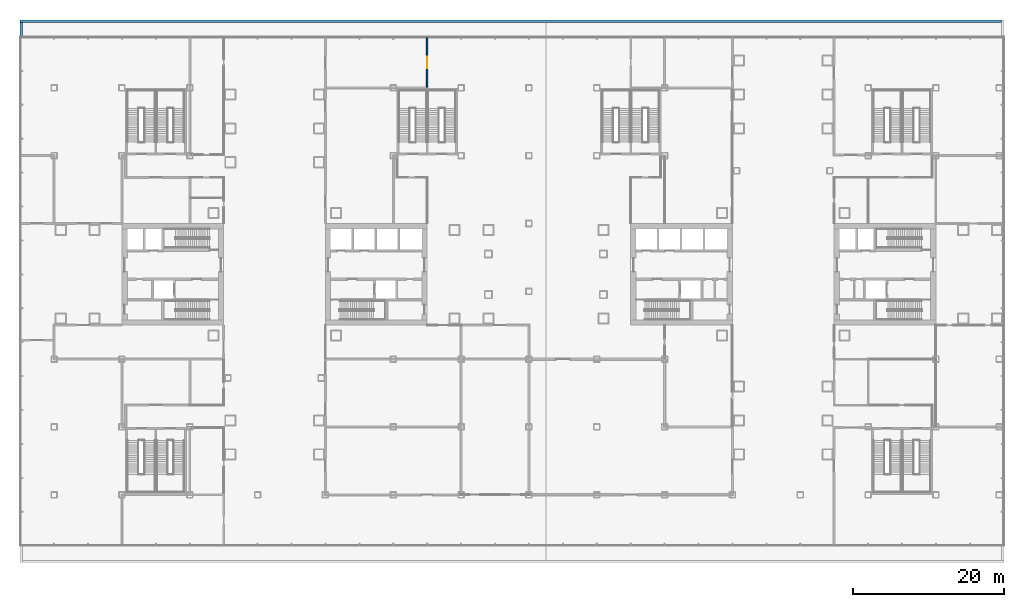
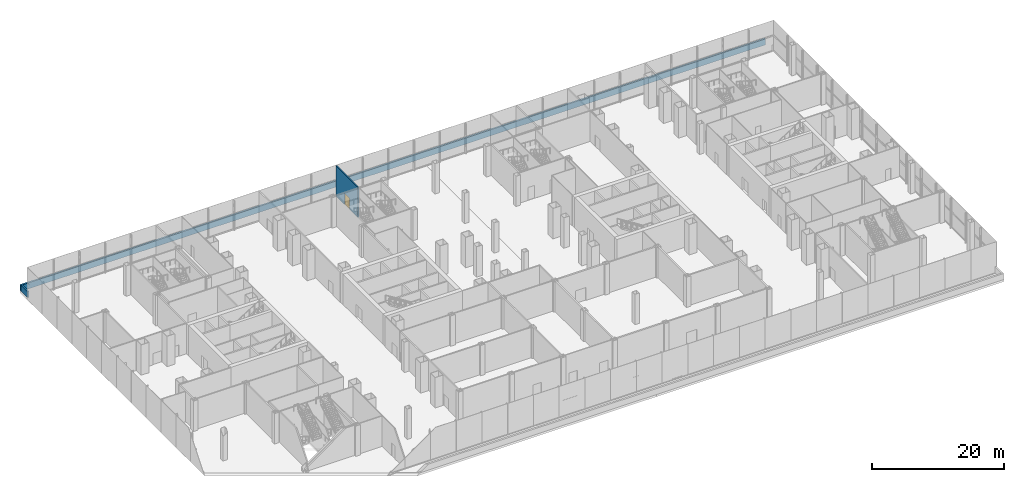
# One storey, part 30 of 38: 3 walls, 1 door, 1 opening.
"""IFC4 building model written with IfcOpenShell, lengths in metres."""

import ifcopenshell
import ifcopenshell.guid

model = None  # the IFC model being written
_history = None  # IfcOwnerHistory: only IFC2X3 demands one
_inside = {}  # id of a spatial element -> (the spatial element, [elements in it])
_under = {}  # id of a project, library or spatial element -> (it, [spatial elements below it])
_declared = {}  # id of a project -> (the project, [libraries it declares])
_typed = {}  # id of a type object -> (the type object, [elements of that type])
_made_of = {}  # id of a material, layer set ... -> (it, [elements and type objects made of it])


def new_model(schema):
    """Start an empty IFC model of exactly this schema.

    Asked for "IFC4X3", IfcOpenShell would pick the latest addendum, in which some entities
    have other attributes; the version numbers below select the first issue.
    IFC2X3 requires an IfcOwnerHistory on every rooted entity: one is made here for all.
    """
    global model, _history
    if schema == "IFC4X3":
        model = ifcopenshell.file(schema_version=(4, 3, 0, 0))
    else:
        model = ifcopenshell.file(schema=schema)
    _inside.clear()
    _under.clear()
    _declared.clear()
    _typed.clear()
    _made_of.clear()
    _history = None
    if model.schema == "IFC2X3":
        org = make("IfcOrganization", Name="unknown")
        user = make(
            "IfcPersonAndOrganization",
            ThePerson=make("IfcPerson", FamilyName="unknown"),
            TheOrganization=org,
        )
        app = make(
            "IfcApplication",
            ApplicationDeveloper=org,
            Version="unknown",
            ApplicationFullName="unknown",
            ApplicationIdentifier="unknown",
        )
        _history = make(
            "IfcOwnerHistory",
            OwningUser=user,
            OwningApplication=app,
            ChangeAction="ADDED",
            CreationDate=0,
        )
    return model


def make(cls, **values):
    """One entity of the class cls with the attributes given. An attribute that is None is left unset."""
    return model.create_entity(
        cls, **{name: value for name, value in values.items() if value is not None}
    )


def rooted(cls, **values):
    """An entity with a GlobalId (a new one), such as an element, a storey or a relation."""
    return make(cls, GlobalId=ifcopenshell.guid.new(), OwnerHistory=_history, **values)


def si_unit(unit_type, name, prefix=None):
    """IfcSIUnit, for example si_unit("LENGTHUNIT", "METRE", prefix="MILLI")."""
    return make("IfcSIUnit", UnitType=unit_type, Prefix=prefix, Name=name)


def assignment(units):
    """IfcUnitAssignment: the units of a project."""
    return None if units is None else make("IfcUnitAssignment", Units=units)


def point(xyz):
    """IfcCartesianPoint."""
    return None if xyz is None else make("IfcCartesianPoint", Coordinates=xyz)


def direction(xyz):
    """IfcDirection."""
    return None if xyz is None else make("IfcDirection", DirectionRatios=xyz)


def frame(location, z_axis=None, x_axis=None):
    """IfcAxis2Placement3D, a coordinate frame: its origin and axes. An axis left out is left unset."""
    return make(
        "IfcAxis2Placement3D",
        Location=point(location),
        Axis=direction(z_axis),
        RefDirection=direction(x_axis),
    )


def frame_2d(location, x_axis=None):
    """IfcAxis2Placement2D, a coordinate frame in the plane: its origin and x axis."""
    return make(
        "IfcAxis2Placement2D", Location=point(location), RefDirection=direction(x_axis)
    )


def origin():
    """The frame at (0, 0, 0) with its axes left unset."""
    return frame((0.0, 0.0, 0.0))


def place(relative_to, where):
    """IfcLocalPlacement: puts the frame where relative to a parent placement (None: the world)."""
    return make(
        "IfcLocalPlacement", PlacementRelTo=relative_to, RelativePlacement=where
    )


def context(
    kind, dimensions, precision=None, world=None, true_north=None, identifier=None
):
    """IfcGeometricRepresentationContext, for example the 3D "Model" context."""
    return make(
        "IfcGeometricRepresentationContext",
        ContextIdentifier=identifier,
        ContextType=kind,
        CoordinateSpaceDimension=dimensions,
        Precision=precision,
        WorldCoordinateSystem=world,
        TrueNorth=true_north,
    )


def subcontext(parent, identifier, kind, view, scale=None):
    """IfcGeometricRepresentationSubContext, for example "Body" below "Model"."""
    return make(
        "IfcGeometricRepresentationSubContext",
        ContextIdentifier=identifier,
        ContextType=kind,
        ParentContext=parent,
        TargetScale=scale,
        TargetView=view,
    )


def project(units=None, contexts=None):
    """IfcProject with its units and contexts."""
    return rooted(
        "IfcProject",
        Name="project",
        RepresentationContexts=contexts,
        UnitsInContext=assignment(units),
    )


def spatial(cls, under=None, at=None, **own):
    """A site, building, storey or space (cls), placed at a placement, below another one or the project."""
    s = rooted(cls, ObjectPlacement=at, **own)
    if under is not None:
        _under.setdefault(under.id(), (under, []))[1].append(s)
    return s


def profile(cls, at=None, kind="AREA", **sizes):
    """A parametric profile (cls). Its sizes go by their IFC names, for example OverallWidth=200.0."""
    return make(cls, ProfileType=kind, Position=at, **sizes)


def rectangle(**sizes):
    """IfcRectangleProfileDef."""
    return profile("IfcRectangleProfileDef", **sizes)


def extrude(swept, where, along, depth):
    """IfcExtrudedAreaSolid: the profile swept, set in the frame where, extruded along a direction by depth."""
    return make(
        "IfcExtrudedAreaSolid",
        SweptArea=swept,
        Position=where,
        ExtrudedDirection=direction(along),
        Depth=depth,
    )


def shape(context_of_items, identifier, shape_type, items):
    """IfcShapeRepresentation: the items that make up one representation, for example the "Body"."""
    return make(
        "IfcShapeRepresentation",
        ContextOfItems=context_of_items,
        RepresentationIdentifier=identifier,
        RepresentationType=shape_type,
        Items=items,
    )


def material(Name=None, Category=None):
    """IfcMaterial."""
    return make("IfcMaterial", Name=Name, Category=Category)


def layer(
    of_material, thickness, ventilated=None, Name=None, Category=None, Priority=None
):
    """IfcMaterialLayer: one layer of a wall or slab, of a material (None: an air gap)."""
    return make(
        "IfcMaterialLayer",
        Material=of_material,
        LayerThickness=thickness,
        IsVentilated=ventilated,
        Name=Name,
        Category=Category,
        Priority=Priority,
    )


def layer_set(layers, Name=None):
    """IfcMaterialLayerSet."""
    return make("IfcMaterialLayerSet", MaterialLayers=layers, LayerSetName=Name)


def made_of(thing, what):
    """Note that an element or type object is made of a material, layer set ...; save() writes the relation."""
    if what is not None:
        _made_of.setdefault(what.id(), (what, []))[1].append(thing)
    return thing


def type_object(cls, material=None, **own):
    """A type object (cls), such as IfcWallType, which elements share."""
    return made_of(rooted(cls, **own), material)


def element(
    cls,
    number,
    at=None,
    inside=None,
    cuts=None,
    type_object=None,
    material=None,
    context=None,
    identifier="Body",
    shape_type=None,
    held_by="IfcProductDefinitionShape",
    body=None,
    shapes=None,
    **own,
):
    """One element of the class cls, such as IfcWall. Its Tag is "e" and its number.

    at: its placement. inside: the storey or other place that contains it. cuts: it is an
    opening in that element (IfcRelVoidsElement). A single representation is given by context,
    identifier, shape_type and body (its items); several are given by shapes. held_by: the class
    of the entity that holds the representations. save() writes the other relations.
    """
    e = rooted(cls, Tag="e%d" % number, ObjectPlacement=at, **own)
    if body is not None:
        shapes = [shape(context, identifier, shape_type, body)]
    if shapes is not None:
        e.Representation = make(held_by, Representations=shapes)
    if inside is not None:
        _inside.setdefault(inside.id(), (inside, []))[1].append(e)
    if cuts is not None:
        rooted(
            "IfcRelVoidsElement", RelatingBuildingElement=cuts, RelatedOpeningElement=e
        )
    if type_object is not None:
        _typed.setdefault(type_object.id(), (type_object, []))[1].append(e)
    return made_of(e, material)


def fill(opening, filler):
    """IfcRelFillsElement: the door or window that sits in an opening."""
    return rooted(
        "IfcRelFillsElement",
        RelatingOpeningElement=opening,
        RelatedBuildingElement=filler,
    )


def aggregate(whole, parts):
    """IfcRelAggregates: a whole, such as a stair, and the parts it consists of."""
    return rooted("IfcRelAggregates", RelatingObject=whole, RelatedObjects=parts)


def save(model, path):
    """Write the relations noted so far, then the file.

    IfcRelAggregates (storeys below a building ...), IfcRelContainedInSpatialStructure (elements
    in a storey), IfcRelDefinesByType, IfcRelAssociatesMaterial and IfcRelDeclares: one each for
    every whole, place, type object, material and project.
    """
    for whole, parts in _under.values():
        aggregate(whole, parts)
    for where, things in _inside.values():
        rooted(
            "IfcRelContainedInSpatialStructure",
            RelatedElements=things,
            RelatingStructure=where,
        )
    for kind, things in _typed.values():
        rooted("IfcRelDefinesByType", RelatedObjects=things, RelatingType=kind)
    for what, things in _made_of.values():
        rooted("IfcRelAssociatesMaterial", RelatedObjects=things, RelatingMaterial=what)
    for by, libraries in _declared.values():
        rooted("IfcRelDeclares", RelatingContext=by, RelatedDefinitions=libraries)
    model.write(path)


model = new_model("IFC4")

# Units and contexts
model_context = context("Model", 3, precision=1e-05, world=origin(), true_north=direction((0.0, 1.0)))
body_context = subcontext(model_context, "Body", "Model", "MODEL_VIEW")
ifc_project = project(units=[si_unit("LENGTHUNIT", "METRE"), si_unit("AREAUNIT", "SQUARE_METRE"), si_unit("VOLUMEUNIT", "CUBIC_METRE"), si_unit("PLANEANGLEUNIT", "RADIAN"), si_unit("MASSUNIT", "GRAM", prefix="KILO")], contexts=[model_context])

# Site, building, storey
site_placement = place(None, origin())
site = spatial("IfcSite", under=ifc_project, at=site_placement, CompositionType="ELEMENT")
building_placement = place(site_placement, origin())
building = spatial("IfcBuilding", under=site, at=building_placement, Name="Shamsa Quay Exchange Towers", CompositionType="ELEMENT")
storey_placement = place(building_placement, frame((0.0, 0.0, 12.5)))
storey = spatial("IfcBuildingStorey", under=building, at=storey_placement, Name="L02", CompositionType="ELEMENT", Elevation=12.5)

# Wall, opening, door
ifc_material_1 = material(Name="Double-leaf gypsum board partition with acoustic insulation")
ifc_layer_1 = layer(ifc_material_1, 0.199951171875)
ifc_layer_set_1 = layer_set([ifc_layer_1], Name="Acoustic partition 200 mm EI 60")
wall_type_1 = type_object("IfcWallType", Name="Acoustic partition 200 mm EI 60", PredefinedType="PARTITIONING", material=ifc_layer_set_1)
wall_1_placement = place(storey_placement, frame((-13.5, 31.405029296875, 0.0), z_axis=(0.0, 0.0, 1.0), x_axis=(0.0, -1.0, 0.0)))
wall_1 = element("IfcWall", 1, at=wall_1_placement, inside=storey, type_object=wall_type_1, Name="Partition PD-L02-W19", PredefinedType="PARTITIONING", context=body_context, shape_type="SweptSolid", body=[
    extrude(rectangle(XDim=6.554931640625, YDim=0.199951171875, at=frame_2d((3.27734375, 0.0))), origin(), (0.0, 0.0, 1.0), 5.60009765625),
])
opening_placement = place(wall_1_placement, frame((2.530029296875, 0.0, 0.0)))
opening = element("IfcOpeningElement", 2, at=opening_placement, cuts=wall_1, Name="Opening PD-L02-D25", PredefinedType="OPENING", context=body_context, shape_type="SweptSolid", body=[
    extrude(rectangle(XDim=1.5, YDim=2.10009765625, at=frame_2d((0.75, 1.050048828125))), frame((0.0, 0.10986328125, 0.0), z_axis=(0.0, -1.0, 0.0), x_axis=(1.0, 0.0, 0.0)), (0.0, 0.0, 1.0), 0.219970703125),
])
ifc_material_2 = material(Name="Timber door leaf in a metal frame", Category="wood")
door_type = type_object("IfcDoorType", Name="Door 1500x2100 FD30S pair", OperationType="NOTDEFINED", PredefinedType="DOOR", material=ifc_material_2)
door_placement = place(opening_placement, origin())
door = element("IfcDoor", 3, at=door_placement, inside=storey, type_object=door_type, Name="Door PD-L02-D25", OperationType="DOUBLE_DOOR_SINGLE_SWING", OverallHeight=2.10009765625, OverallWidth=1.5, PredefinedType="DOOR", context=body_context, shape_type="SweptSolid", body=[
    extrude(rectangle(XDim=1.5, YDim=2.10009765625, at=frame_2d((0.75, 1.050048828125))), frame((0.0, 0.02490234375, 0.0), z_axis=(0.0, -1.0, 0.0), x_axis=(1.0, 0.0, 0.0)), (0.0, 0.0, 1.0), 0.050048828125),
])
fill(opening, door)

# Walls
ifc_material_3 = material(Name="Reinforced concrete C30/37", Category="concrete")
ifc_layer_2 = layer(ifc_material_3, 0.300048828125)
ifc_layer_set_2 = layer_set([ifc_layer_2], Name="ROOF PARAPET 300 C30/37")
wall_type_2 = type_object("IfcWallType", Name="ROOF PARAPET 300 C30/37", PredefinedType="PARAPET", material=ifc_layer_set_2)
wall_2_placement = place(storey_placement, frame((62.699951171875, 33.60009765625, 0.0), z_axis=(0.0, 0.0, 1.0), x_axis=(-1.0, 0.0, 0.0)))
element("IfcWall", 4, at=wall_2_placement, inside=storey, type_object=wall_type_2, Name="Parapet L01 2", PredefinedType="PARAPET", context=body_context, shape_type="SweptSolid", body=[
    extrude(rectangle(XDim=130.199951171875, YDim=0.300048828125, at=frame_2d((65.10009765625, 0.0))), origin(), (0.0, 0.0, 1.0), 1.10009765625),
])
wall_3_placement = place(storey_placement, frame((-67.35009765625, 33.449951171875, 0.0), z_axis=(0.0, 0.0, 1.0), x_axis=(0.0, -1.0, 0.0)))
element("IfcWall", 5, at=wall_3_placement, inside=storey, type_object=wall_type_2, Name="Parapet L01 3", PredefinedType="PARAPET", context=body_context, shape_type="SweptSolid", body=[
    extrude(rectangle(XDim=1.949951171875, YDim=0.300048828125, at=frame_2d((0.97509765625, 0.0))), origin(), (0.0, 0.0, 1.0), 1.10009765625),
])

save(model, "model.ifc")
